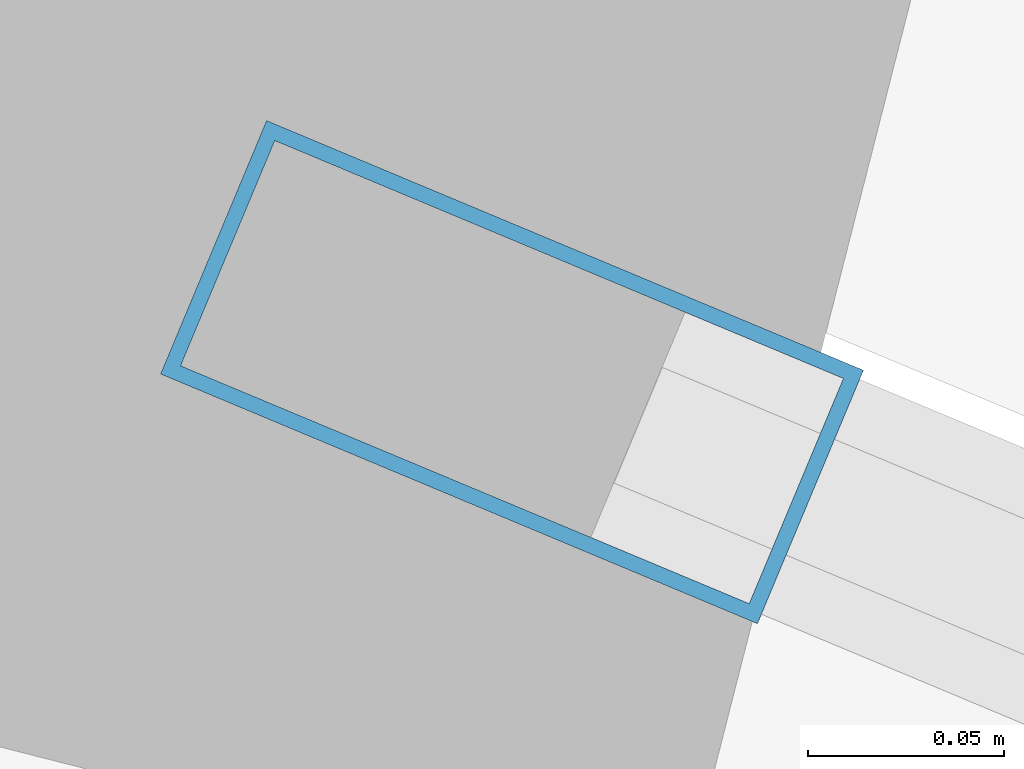
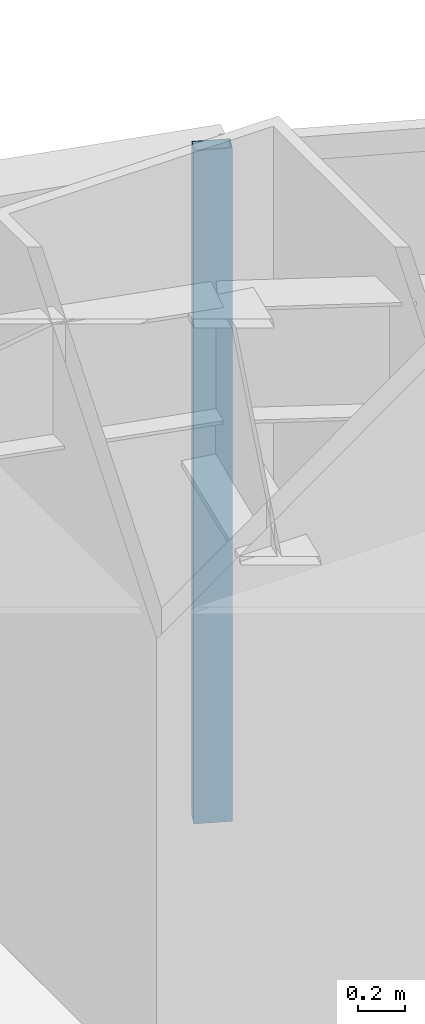
# One storey, part 9 of 17: 1 member, 1 element without a shape of its own.
"""IFC4 building model written with IfcOpenShell, lengths in metres."""

from ifc_helpers import new_model, si_unit, direction, frame, origin, origin_2d, place, context, subcontext, project, spatial, hollow_rectangle, extrude, material, layer, layer_set, material_profile, profile_set, type_object, element, aggregate, save


model = new_model("IFC4")

# Units and contexts
model_context = context("Model", 3, precision=1e-05, world=origin(), true_north=direction((0.0, 1.0)))
body_context = subcontext(model_context, "Body", "Model", "MODEL_VIEW")
ifc_project = project(units=[si_unit("LENGTHUNIT", "METRE"), si_unit("AREAUNIT", "SQUARE_METRE"), si_unit("VOLUMEUNIT", "CUBIC_METRE"), si_unit("PLANEANGLEUNIT", "RADIAN"), si_unit("MASSUNIT", "GRAM", prefix="KILO")], contexts=[model_context])

# Site, building, storey
site_placement = place(None, origin())
site = spatial("IfcSite", under=ifc_project, at=site_placement, CompositionType="ELEMENT")
building_placement = place(site_placement, origin())
building = spatial("IfcBuilding", under=site, at=building_placement, Name="Menara Vayukalpa", CompositionType="ELEMENT")
storey_placement = place(building_placement, frame((0.0, 0.0, 27.60009765625)))
storey = spatial("IfcBuildingStorey", under=building, at=storey_placement, Name="L05", CompositionType="ELEMENT", Elevation=27.60009765625)

# Curtain wall, member
ifc_material_1 = material(Name="Anodised Terracotta Aluminium Alloy 6063-T6", Category="masonry")
ifc_layer = layer(ifc_material_1, 0.1650390625)
ifc_layer_set = layer_set([ifc_layer], Name="Anodised Terracotta Aluminium Alloy 6063-T6")
curtain_wall_type = type_object("IfcCurtainWallType", Name="CW-CW2", PredefinedType="USERDEFINED", material=ifc_layer_set)
curtain_wall_placement = place(storey_placement, origin())
curtain_wall = element("IfcCurtainWall", 1, at=curtain_wall_placement, inside=storey, type_object=curtain_wall_type, Name="L05 Low Rise Terracotta Ribbon Curtain Wall CW2 05", ObjectType="UNITISED", PredefinedType="USERDEFINED")
ifc_material_2 = material(Name="Anodised Terracotta Aluminium Alloy 6063-T6", Category="masonry")
ifc_material_profile = material_profile(ifc_material_2, hollow_rectangle(XDim=0.070068359375, YDim=0.1650390625, WallThickness=0.00390625, at=origin_2d()), Name="ALU 70x165x4")
ifc_profile_set = profile_set([ifc_material_profile], Name="Anodised Terracotta Aluminium Alloy 6063-T6")
member_type = type_object("IfcMemberType", Name="CWM-CW2", PredefinedType="MULLION", material=ifc_profile_set)
member_placement = place(storey_placement, frame((23.950927734375, 34.889404296875, 0.0), z_axis=(0.0, 0.0, 1.0), x_axis=(-0.385895120445, -0.922542658101, 0.0)))
member = element("IfcMember", 2, at=member_placement, type_object=member_type, Name="CW2 mullion 3", PredefinedType="MULLION", context=body_context, shape_type="SweptSolid", body=[
    extrude(hollow_rectangle(XDim=0.070068359375, YDim=0.1650390625, WallThickness=0.00390625, at=origin_2d()), origin(), (0.0, 0.0, 1.0), 3.469970703125),
])
aggregate(curtain_wall, [member])

save(model, "model.ifc")
